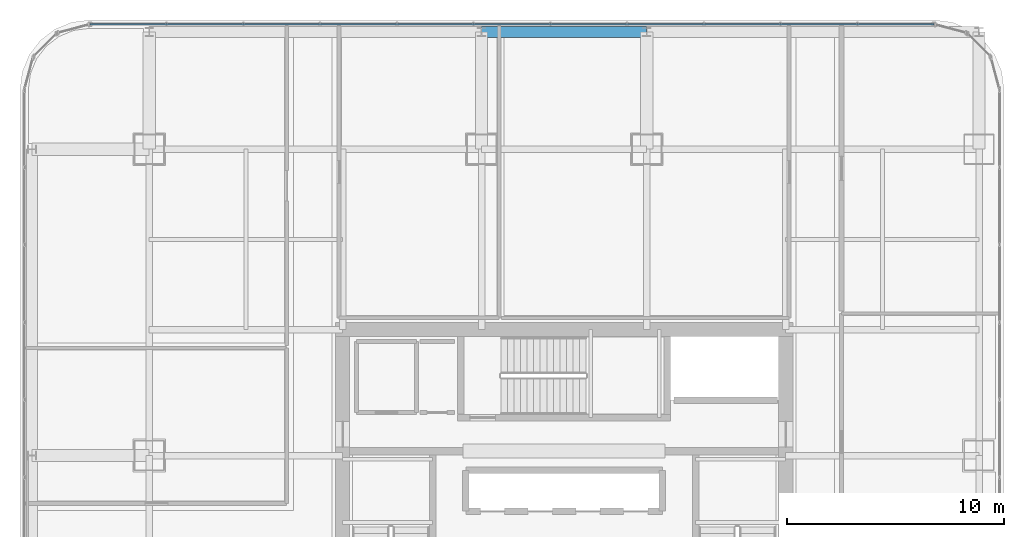
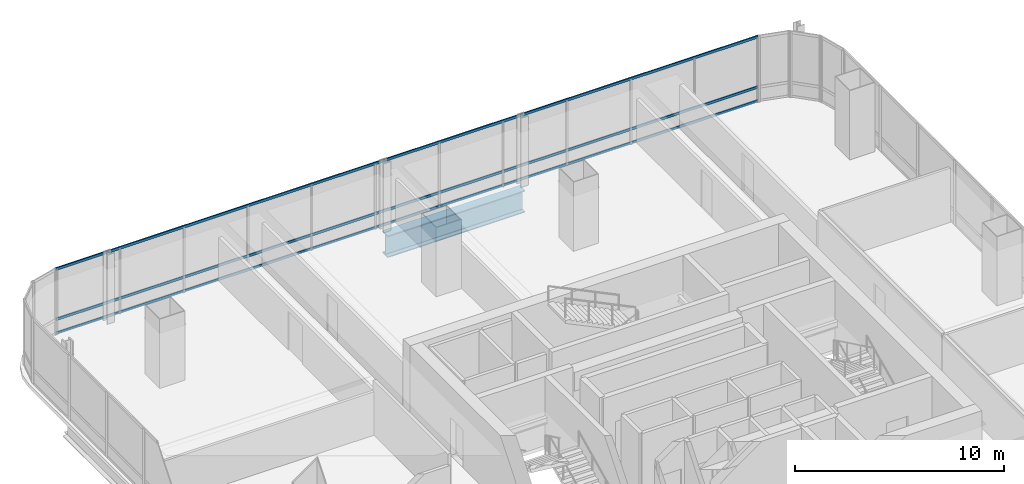
# One storey, part 24 of 38: 3 members, 1 beam, 1 element without a shape of its own.
"""IFC4 building model written with IfcOpenShell, lengths in metres."""

from ifc_helpers import new_model, si_unit, direction, frame, origin, origin_2d, place, context, subcontext, project, spatial, hollow_rectangle, i_section, extrude, material, material_profile, profile_set, type_object, element, aggregate, save


model = new_model("IFC4")

# Units and contexts
model_context = context("Model", 3, precision=1e-05, world=origin(), true_north=direction((0.0, 1.0)))
body_context = subcontext(model_context, "Body", "Model", "MODEL_VIEW")
ifc_project = project(units=[si_unit("LENGTHUNIT", "METRE"), si_unit("AREAUNIT", "SQUARE_METRE"), si_unit("VOLUMEUNIT", "CUBIC_METRE"), si_unit("PLANEANGLEUNIT", "RADIAN"), si_unit("MASSUNIT", "GRAM", prefix="KILO")], contexts=[model_context])

# Site, building, storey
site_placement = place(None, origin())
site = spatial("IfcSite", under=ifc_project, at=site_placement, CompositionType="ELEMENT")
building_placement = place(site_placement, origin())
building = spatial("IfcBuilding", under=site, at=building_placement, Name="Punatoya Terracotta Tower", CompositionType="ELEMENT")
storey_placement = place(building_placement, frame((0.0, 0.0, 151.949951171875)))
storey = spatial("IfcBuildingStorey", under=building, at=storey_placement, Name="L35", CompositionType="ELEMENT", Elevation=151.949951171875)

# Beam
ifc_material_1 = material(Name="Steel S460", Category="steel")
ifc_material_profile_1 = material_profile(ifc_material_1, i_section(OverallWidth=0.52001953125, OverallDepth=1.280029296875, WebThickness=0.031982421875, FlangeThickness=0.050048828125, FilletRadius=0.01806640625, at=origin_2d()))
ifc_profile_set_1 = profile_set([ifc_material_profile_1], Name="Steel S460")
beam_type = type_object("IfcBeamType", Name="BM-TG-NCK", PredefinedType="BEAM", material=ifc_profile_set_1)
beam_placement = place(storey_placement, frame((-3.800048828125, 22.89990234375, -0.85986328125), z_axis=(1.0, 0.0, 0.0), x_axis=(0.0, 1.0, 0.0)))
element("IfcBeam", 1, at=beam_placement, inside=storey, type_object=beam_type, Name="BM-L35-PER-N2", PredefinedType="BEAM", context=body_context, shape_type="SweptSolid", body=[
    extrude(i_section(OverallWidth=0.52001953125, OverallDepth=1.280029296875, WebThickness=0.031982421875, FlangeThickness=0.050048828125, FilletRadius=0.01806640625, at=origin_2d()), origin(), (0.0, 0.0, 1.0), 7.60009765625),
])

# Curtain wall, members
ifc_material_2 = material(Name="Aluminium 6063-T6 + Double Low-E Glass", Category="aluminium")
curtain_wall_type = type_object("IfcCurtainWallType", Name="CW-M2", PredefinedType="NOTDEFINED", material=ifc_material_2)
curtain_wall_placement = place(storey_placement, origin())
curtain_wall = element("IfcCurtainWall", 2, at=curtain_wall_placement, inside=storey, type_object=curtain_wall_type, Name="L35 Curtain Wall CW-L35-N09-1", PredefinedType="NOTDEFINED")
ifc_material_3 = material(Name="Aluminium 6063-T6", Category="aluminium")
ifc_material_profile_2 = material_profile(ifc_material_3, hollow_rectangle(XDim=0.068115234375, YDim=0.14990234375, WallThickness=0.00390625, at=origin_2d()))
ifc_profile_set_2 = profile_set([ifc_material_profile_2], Name="Aluminium 6063-T6")
member_type = type_object("IfcMemberType", Name="CW-TRN-TYP", PredefinedType="USERDEFINED", material=ifc_profile_set_2)
member_1_placement = place(storey_placement, frame((17.036865234375, 23.25, 0.0400390625), z_axis=(-1.0, 0.0, 0.0), x_axis=(0.0, -1.0, 0.0)))
member_1 = element("IfcMember", 3, at=member_1_placement, type_object=member_type, Name="CW-L35-N09-1 Transom 1", ObjectType="TRANSOM", PredefinedType="USERDEFINED", context=body_context, shape_type="SweptSolid", body=[
    extrude(hollow_rectangle(XDim=0.068115234375, YDim=0.14990234375, WallThickness=0.00390625, at=origin_2d()), origin(), (0.0, 0.0, 1.0), 38.873779296875),
])
member_2_placement = place(storey_placement, frame((17.036865234375, 23.25, 0.85009765625), z_axis=(-1.0, 0.0, 0.0), x_axis=(0.0, -1.0, 0.0)))
member_2 = element("IfcMember", 4, at=member_2_placement, type_object=member_type, Name="CW-L35-N09-1 Transom 2", ObjectType="TRANSOM", PredefinedType="USERDEFINED", context=body_context, shape_type="SweptSolid", body=[
    extrude(hollow_rectangle(XDim=0.068115234375, YDim=0.14990234375, WallThickness=0.00390625, at=origin_2d()), origin(), (0.0, 0.0, 1.0), 38.873779296875),
])
member_3_placement = place(storey_placement, frame((17.036865234375, 23.25, 3.7900390625), z_axis=(-1.0, 0.0, 0.0), x_axis=(0.0, -1.0, 0.0)))
member_3 = element("IfcMember", 5, at=member_3_placement, type_object=member_type, Name="CW-L35-N09-1 Transom 3", ObjectType="TRANSOM", PredefinedType="USERDEFINED", context=body_context, shape_type="SweptSolid", body=[
    extrude(hollow_rectangle(XDim=0.068115234375, YDim=0.14990234375, WallThickness=0.00390625, at=origin_2d()), origin(), (0.0, 0.0, 1.0), 38.873779296875),
])
aggregate(curtain_wall, [member_1, member_2, member_3])

save(model, "model.ifc")
